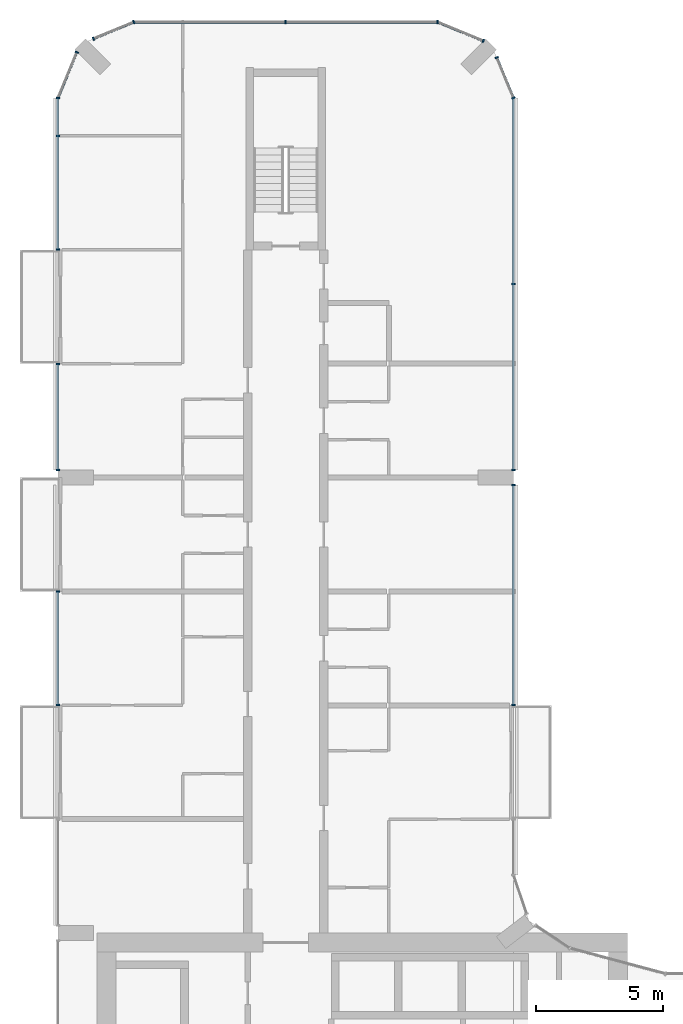
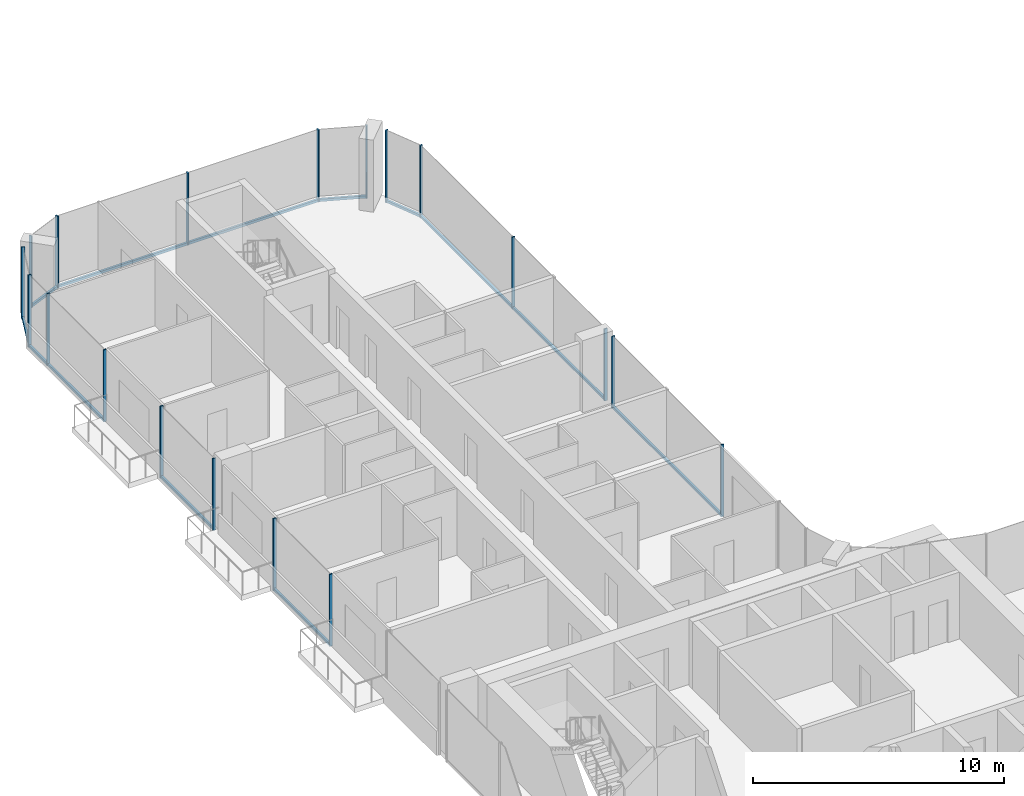
# One storey, part 6 of 22: 29 members, 10 elements without a shape of their own.
"""IFC4 building model written with IfcOpenShell, lengths in metres."""

from ifc_helpers import new_model, si_unit, direction, frame, origin, origin_2d, place, context, subcontext, project, spatial, rectangle, extrude, material, layer, layer_set, material_profile, profile_set, type_object, element, aggregate, save


model = new_model("IFC4")

# Units and contexts
model_context = context("Model", 3, precision=1e-05, world=origin(), true_north=direction((0.0, 1.0)))
body_context = subcontext(model_context, "Body", "Model", "MODEL_VIEW")
ifc_project = project(units=[si_unit("LENGTHUNIT", "METRE"), si_unit("AREAUNIT", "SQUARE_METRE"), si_unit("VOLUMEUNIT", "CUBIC_METRE"), si_unit("PLANEANGLEUNIT", "RADIAN"), si_unit("MASSUNIT", "GRAM", prefix="KILO")], contexts=[model_context])

# Site, building, storey
site_placement = place(None, origin())
site = spatial("IfcSite", under=ifc_project, at=site_placement, CompositionType="ELEMENT")
building_placement = place(site_placement, origin())
building = spatial("IfcBuilding", under=site, at=building_placement, Name="Plateau Cross Towers", CompositionType="ELEMENT")
storey_placement = place(building_placement, frame((0.0, 0.0, 54.800048828125)))
storey = spatial("IfcBuildingStorey", under=building, at=storey_placement, Name="L13", CompositionType="ELEMENT", Elevation=54.800048828125)

# Curtain wall, members
ifc_material_1 = material(Name="Dark low-iron glass", Category="glass")
ifc_layer = layer(ifc_material_1, 0.239990234375)
ifc_layer_set = layer_set([ifc_layer], Name="Dark low-iron glass")
curtain_wall_type = type_object("IfcCurtainWallType", Name="Curtain wall flush unitised CW-B", PredefinedType="NOTDEFINED", material=ifc_layer_set)
curtain_wall_1_placement = place(storey_placement, origin())
curtain_wall_1 = element("IfcCurtainWall", 1, at=curtain_wall_1_placement, inside=storey, type_object=curtain_wall_type, Name="ENV/A/L13/A180_270", PredefinedType="NOTDEFINED")
ifc_material_2 = material(Name="Black anodised aluminium", Category="aluminium")
ifc_material_profile_1 = material_profile(ifc_material_2, rectangle(XDim=0.06005859375, YDim=0.139892578125, at=origin_2d()), Name="MULLION 60x140")
ifc_profile_set_1 = profile_set([ifc_material_profile_1], Name="Black anodised aluminium")
member_type_1 = type_object("IfcMemberType", Name="Mullion 60x140 flush unitised", PredefinedType="MULLION", material=ifc_profile_set_1)
member_1_placement = place(storey_placement, frame((18.0, 27.010009765625, -0.25), z_axis=(0.0, 0.0, 1.0), x_axis=(0.0, 1.0, 0.0)))
member_1 = element("IfcMember", 2, at=member_1_placement, type_object=member_type_1, Name="CW-B mullion 1", PredefinedType="MULLION", context=body_context, shape_type="SweptSolid", body=[
    extrude(rectangle(XDim=0.06005859375, YDim=0.139892578125, at=origin_2d()), origin(), (0.0, 0.0, 1.0), 3.5),
])
member_2_placement = place(storey_placement, frame((18.0, 35.699951171875, -0.25), z_axis=(0.0, 0.0, 1.0), x_axis=(0.0, 1.0, 0.0)))
member_2 = element("IfcMember", 3, at=member_2_placement, type_object=member_type_1, Name="CW-B mullion 2", PredefinedType="MULLION", context=body_context, shape_type="SweptSolid", body=[
    extrude(rectangle(XDim=0.06005859375, YDim=0.139892578125, at=origin_2d()), origin(), (0.0, 0.0, 1.0), 3.5),
])

curtain_wall_2_placement = place(storey_placement, origin())
curtain_wall_2 = element("IfcCurtainWall", 4, at=curtain_wall_2_placement, inside=storey, type_object=curtain_wall_type, Name="ENV/A/L13/A180_363", PredefinedType="NOTDEFINED")
member_3_placement = place(storey_placement, frame((18.0, 36.300048828125, -0.25), z_axis=(0.0, 0.0, 1.0), x_axis=(0.0, 1.0, 0.0)))
member_3 = element("IfcMember", 5, at=member_3_placement, type_object=member_type_1, Name="CW-B mullion 1", PredefinedType="MULLION", context=body_context, shape_type="SweptSolid", body=[
    extrude(rectangle(XDim=0.06005859375, YDim=0.139892578125, at=origin_2d()), origin(), (0.0, 0.0, 1.0), 3.5),
])
member_4_placement = place(storey_placement, frame((18.0, 43.64990234375, -0.25), z_axis=(0.0, 0.0, 1.0), x_axis=(0.0, 1.0, 0.0)))
member_4 = element("IfcMember", 6, at=member_4_placement, type_object=member_type_1, Name="CW-B mullion 2", PredefinedType="MULLION", context=body_context, shape_type="SweptSolid", body=[
    extrude(rectangle(XDim=0.06005859375, YDim=0.139892578125, at=origin_2d()), origin(), (0.0, 0.0, 1.0), 3.5),
])

curtain_wall_3_placement = place(storey_placement, origin())
curtain_wall_3 = element("IfcCurtainWall", 7, at=curtain_wall_3_placement, inside=storey, type_object=curtain_wall_type, Name="ENV/A/L13/A180_510", PredefinedType="NOTDEFINED")
member_5_placement = place(storey_placement, frame((18.0, 51.0, -0.25), z_axis=(0.0, 0.0, 1.0), x_axis=(-0.382683612978, 0.923879457699, 0.0)))
member_5 = element("IfcMember", 8, at=member_5_placement, type_object=member_type_1, Name="CW-B mullion 1", PredefinedType="MULLION", context=body_context, shape_type="SweptSolid", body=[
    extrude(rectangle(XDim=0.06005859375, YDim=0.139892578125, at=origin_2d()), origin(), (0.0, 0.0, 1.0), 3.5),
])
member_6_placement = place(storey_placement, frame((17.338623046875, 52.5966796875, -0.25), z_axis=(0.0, 0.0, 1.0), x_axis=(-0.382683612978, 0.923879457699, 0.0)))
member_6 = element("IfcMember", 9, at=member_6_placement, type_object=member_type_1, Name="CW-B mullion 2", PredefinedType="MULLION", context=body_context, shape_type="SweptSolid", body=[
    extrude(rectangle(XDim=0.06005859375, YDim=0.139892578125, at=origin_2d()), origin(), (0.0, 0.0, 1.0), 3.5),
])

# Curtain wall, member
curtain_wall_4_placement = place(storey_placement, origin())
curtain_wall_4 = element("IfcCurtainWall", 10, at=curtain_wall_4_placement, inside=storey, type_object=curtain_wall_type, Name="ENV/A/L13/A168_533", PredefinedType="NOTDEFINED")
member_7_placement = place(storey_placement, frame((16.805908203125, 53.251953125, -0.25), z_axis=(0.0, 0.0, 1.0), x_axis=(-0.923879457699, 0.382683612978, 0.0)))
member_7 = element("IfcMember", 11, at=member_7_placement, type_object=member_type_1, Name="CW-B mullion 1", PredefinedType="MULLION", context=body_context, shape_type="SweptSolid", body=[
    extrude(rectangle(XDim=0.06005859375, YDim=0.139892578125, at=origin_2d()), origin(), (0.0, 0.0, 1.0), 3.5),
])

# Curtain wall, members
curtain_wall_5_placement = place(storey_placement, origin())
curtain_wall_5 = element("IfcCurtainWall", 12, at=curtain_wall_5_placement, inside=storey, type_object=curtain_wall_type, Name="ENV/A/L13/A150_540", PredefinedType="NOTDEFINED")
member_8_placement = place(storey_placement, frame((15.0, 54.0, -0.25), z_axis=(0.0, 0.0, 1.0), x_axis=(-1.0, 0.0, 0.0)))
member_8 = element("IfcMember", 13, at=member_8_placement, type_object=member_type_1, Name="CW-B mullion 1", PredefinedType="MULLION", context=body_context, shape_type="SweptSolid", body=[
    extrude(rectangle(XDim=0.06005859375, YDim=0.139892578125, at=origin_2d()), origin(), (0.0, 0.0, 1.0), 3.5),
])
member_9_placement = place(storey_placement, frame((9.0, 54.0, -0.25), z_axis=(0.0, 0.0, 1.0), x_axis=(-1.0, 0.0, 0.0)))
member_9 = element("IfcMember", 14, at=member_9_placement, type_object=member_type_1, Name="CW-B mullion 2", PredefinedType="MULLION", context=body_context, shape_type="SweptSolid", body=[
    extrude(rectangle(XDim=0.06005859375, YDim=0.139892578125, at=origin_2d()), origin(), (0.0, 0.0, 1.0), 3.5),
])

curtain_wall_6_placement = place(storey_placement, origin())
curtain_wall_6 = element("IfcCurtainWall", 15, at=curtain_wall_6_placement, inside=storey, type_object=curtain_wall_type, Name="ENV/A/L13/A30_540", PredefinedType="NOTDEFINED")
member_10_placement = place(storey_placement, frame((3.0, 54.0, -0.25), z_axis=(0.0, 0.0, 1.0), x_axis=(-0.923879457699, -0.382683612978, 0.0)))
member_10 = element("IfcMember", 16, at=member_10_placement, type_object=member_type_1, Name="CW-B mullion 1", PredefinedType="MULLION", context=body_context, shape_type="SweptSolid", body=[
    extrude(rectangle(XDim=0.06005859375, YDim=0.139892578125, at=origin_2d()), origin(), (0.0, 0.0, 1.0), 3.5),
])
member_11_placement = place(storey_placement, frame((1.4033203125, 53.338623046875, -0.25), z_axis=(0.0, 0.0, 1.0), x_axis=(-0.923879457699, -0.382683612978, 0.0)))
member_11 = element("IfcMember", 17, at=member_11_placement, type_object=member_type_1, Name="CW-B mullion 2", PredefinedType="MULLION", context=body_context, shape_type="SweptSolid", body=[
    extrude(rectangle(XDim=0.06005859375, YDim=0.139892578125, at=origin_2d()), origin(), (0.0, 0.0, 1.0), 3.5),
])

# Curtain wall, member
curtain_wall_7_placement = place(storey_placement, origin())
curtain_wall_7 = element("IfcCurtainWall", 18, at=curtain_wall_7_placement, inside=storey, type_object=curtain_wall_type, Name="ENV/A/L13/A7_528", PredefinedType="NOTDEFINED")
member_12_placement = place(storey_placement, frame((0.748046875, 52.805908203125, -0.25), z_axis=(0.0, 0.0, 1.0), x_axis=(-0.382683612978, -0.923879457699, 0.0)))
member_12 = element("IfcMember", 19, at=member_12_placement, type_object=member_type_1, Name="CW-B mullion 1", PredefinedType="MULLION", context=body_context, shape_type="SweptSolid", body=[
    extrude(rectangle(XDim=0.06005859375, YDim=0.139892578125, at=origin_2d()), origin(), (0.0, 0.0, 1.0), 3.5),
])

# Curtain wall, members
curtain_wall_8_placement = place(storey_placement, origin())
curtain_wall_8 = element("IfcCurtainWall", 20, at=curtain_wall_8_placement, inside=storey, type_object=curtain_wall_type, Name="ENV/A/L13/A0_510", PredefinedType="NOTDEFINED")
member_13_placement = place(storey_placement, frame((0.0, 51.0, -0.25), z_axis=(0.0, 0.0, 1.0), x_axis=(0.0, -1.0, 0.0)))
member_13 = element("IfcMember", 21, at=member_13_placement, type_object=member_type_1, Name="CW-B mullion 1", PredefinedType="MULLION", context=body_context, shape_type="SweptSolid", body=[
    extrude(rectangle(XDim=0.06005859375, YDim=0.139892578125, at=origin_2d()), origin(), (0.0, 0.0, 1.0), 3.5),
])
member_14_placement = place(storey_placement, frame((0.0, 49.5, -0.25), z_axis=(0.0, 0.0, 1.0), x_axis=(0.0, -1.0, 0.0)))
member_14 = element("IfcMember", 22, at=member_14_placement, type_object=member_type_1, Name="CW-B mullion 2", PredefinedType="MULLION", context=body_context, shape_type="SweptSolid", body=[
    extrude(rectangle(XDim=0.06005859375, YDim=0.139892578125, at=origin_2d()), origin(), (0.0, 0.0, 1.0), 3.5),
])
member_15_placement = place(storey_placement, frame((0.0, 45.010009765625, -0.25), z_axis=(0.0, 0.0, 1.0), x_axis=(0.0, -1.0, 0.0)))
member_15 = element("IfcMember", 23, at=member_15_placement, type_object=member_type_1, Name="CW-B mullion 3", PredefinedType="MULLION", context=body_context, shape_type="SweptSolid", body=[
    extrude(rectangle(XDim=0.06005859375, YDim=0.139892578125, at=origin_2d()), origin(), (0.0, 0.0, 1.0), 3.5),
])

curtain_wall_9_placement = place(storey_placement, origin())
curtain_wall_9 = element("IfcCurtainWall", 24, at=curtain_wall_9_placement, inside=storey, type_object=curtain_wall_type, Name="ENV/A/L13/A0_405", PredefinedType="NOTDEFINED")
member_16_placement = place(storey_placement, frame((0.0, 40.489990234375, -0.25), z_axis=(0.0, 0.0, 1.0), x_axis=(0.0, -1.0, 0.0)))
member_16 = element("IfcMember", 25, at=member_16_placement, type_object=member_type_1, Name="CW-B mullion 1", PredefinedType="MULLION", context=body_context, shape_type="SweptSolid", body=[
    extrude(rectangle(XDim=0.06005859375, YDim=0.139892578125, at=origin_2d()), origin(), (0.0, 0.0, 1.0), 3.5),
])
member_17_placement = place(storey_placement, frame((0.0, 36.300048828125, -0.25), z_axis=(0.0, 0.0, 1.0), x_axis=(0.0, -1.0, 0.0)))
member_17 = element("IfcMember", 26, at=member_17_placement, type_object=member_type_1, Name="CW-B mullion 2", PredefinedType="MULLION", context=body_context, shape_type="SweptSolid", body=[
    extrude(rectangle(XDim=0.06005859375, YDim=0.139892578125, at=origin_2d()), origin(), (0.0, 0.0, 1.0), 3.5),
])

curtain_wall_10_placement = place(storey_placement, origin())
curtain_wall_10 = element("IfcCurtainWall", 27, at=curtain_wall_10_placement, inside=storey, type_object=curtain_wall_type, Name="ENV/A/L13/A0_315", PredefinedType="NOTDEFINED")
member_18_placement = place(storey_placement, frame((0.0, 31.489990234375, -0.25), z_axis=(0.0, 0.0, 1.0), x_axis=(0.0, -1.0, 0.0)))
member_18 = element("IfcMember", 28, at=member_18_placement, type_object=member_type_1, Name="CW-B mullion 1", PredefinedType="MULLION", context=body_context, shape_type="SweptSolid", body=[
    extrude(rectangle(XDim=0.06005859375, YDim=0.139892578125, at=origin_2d()), origin(), (0.0, 0.0, 1.0), 3.5),
])
member_19_placement = place(storey_placement, frame((0.0, 27.010009765625, -0.25), z_axis=(0.0, 0.0, 1.0), x_axis=(0.0, -1.0, 0.0)))
member_19 = element("IfcMember", 29, at=member_19_placement, type_object=member_type_1, Name="CW-B mullion 2", PredefinedType="MULLION", context=body_context, shape_type="SweptSolid", body=[
    extrude(rectangle(XDim=0.06005859375, YDim=0.139892578125, at=origin_2d()), origin(), (0.0, 0.0, 1.0), 3.5),
])

# Member
ifc_material_profile_2 = material_profile(ifc_material_2, rectangle(XDim=0.10009765625, YDim=0.1201171875, at=origin_2d()), Name="TRANSOM 100x120")
ifc_profile_set_2 = profile_set([ifc_material_profile_2], Name="Black anodised aluminium")
member_type_2 = type_object("IfcMemberType", Name="Transom 100x120 flush unitised", PredefinedType="USERDEFINED", material=ifc_profile_set_2)
member_20_placement = place(storey_placement, frame((18.0, 27.010009765625, -0.18994140625), z_axis=(0.0, 1.0, 0.0), x_axis=(-1.0, 0.0, 0.0)))
member_20 = element("IfcMember", 30, at=member_20_placement, type_object=member_type_2, Name="CW-B transom", ObjectType="TRANSOM", PredefinedType="USERDEFINED", context=body_context, shape_type="SweptSolid", body=[
    extrude(rectangle(XDim=0.10009765625, YDim=0.1201171875, at=origin_2d()), origin(), (0.0, 0.0, 1.0), 8.68994140625),
])

aggregate(curtain_wall_1, [member_1, member_2, member_20])

member_21_placement = place(storey_placement, frame((18.0, 36.300048828125, -0.18994140625), z_axis=(0.0, 1.0, 0.0), x_axis=(-1.0, 0.0, 0.0)))
member_21 = element("IfcMember", 31, at=member_21_placement, type_object=member_type_2, Name="CW-B transom", ObjectType="TRANSOM", PredefinedType="USERDEFINED", context=body_context, shape_type="SweptSolid", body=[
    extrude(rectangle(XDim=0.10009765625, YDim=0.1201171875, at=origin_2d()), origin(), (0.0, 0.0, 1.0), 14.699951171875),
])

aggregate(curtain_wall_2, [member_3, member_4, member_21])

member_22_placement = place(storey_placement, frame((18.0, 51.0, -0.18994140625), z_axis=(-0.382688653628, 0.923877369776, 0.0), x_axis=(-0.923877369776, -0.382688653628, 0.0)))
member_22 = element("IfcMember", 32, at=member_22_placement, type_object=member_type_2, Name="CW-B transom", ObjectType="TRANSOM", PredefinedType="USERDEFINED", context=body_context, shape_type="SweptSolid", body=[
    extrude(rectangle(XDim=0.10009765625, YDim=0.1201171875, at=origin_2d()), origin(), (0.0, 0.0, 1.0), 1.728271484375),
])

aggregate(curtain_wall_3, [member_5, member_6, member_22])

member_23_placement = place(storey_placement, frame((16.805908203125, 53.251953125, -0.18994140625), z_axis=(-0.92387678234, 0.382690071798, 0.0), x_axis=(-0.382690071798, -0.92387678234, 0.0)))
member_23 = element("IfcMember", 33, at=member_23_placement, type_object=member_type_2, Name="CW-B transom", ObjectType="TRANSOM", PredefinedType="USERDEFINED", context=body_context, shape_type="SweptSolid", body=[
    extrude(rectangle(XDim=0.10009765625, YDim=0.1201171875, at=origin_2d()), origin(), (0.0, 0.0, 1.0), 1.95458984375),
])

aggregate(curtain_wall_4, [member_7, member_23])

member_24_placement = place(storey_placement, frame((15.0, 54.0, -0.18994140625), z_axis=(-1.0, 0.0, 0.0), x_axis=(0.0, -1.0, 0.0)))
member_24 = element("IfcMember", 34, at=member_24_placement, type_object=member_type_2, Name="CW-B transom", ObjectType="TRANSOM", PredefinedType="USERDEFINED", context=body_context, shape_type="SweptSolid", body=[
    extrude(rectangle(XDim=0.10009765625, YDim=0.1201171875, at=origin_2d()), origin(), (0.0, 0.0, 1.0), 12.0),
])

aggregate(curtain_wall_5, [member_8, member_9, member_24])

member_25_placement = place(storey_placement, frame((3.0, 54.0, -0.18994140625), z_axis=(-0.923877369776, -0.382688653628, 0.0), x_axis=(0.382688653628, -0.923877369776, 0.0)))
member_25 = element("IfcMember", 35, at=member_25_placement, type_object=member_type_2, Name="CW-B transom", ObjectType="TRANSOM", PredefinedType="USERDEFINED", context=body_context, shape_type="SweptSolid", body=[
    extrude(rectangle(XDim=0.10009765625, YDim=0.1201171875, at=origin_2d()), origin(), (0.0, 0.0, 1.0), 1.728271484375),
])

aggregate(curtain_wall_6, [member_10, member_11, member_25])

member_26_placement = place(storey_placement, frame((0.748046875, 52.805908203125, -0.18994140625), z_axis=(-0.382690071798, -0.92387678234, 0.0), x_axis=(0.92387678234, -0.382690071798, 0.0)))
member_26 = element("IfcMember", 36, at=member_26_placement, type_object=member_type_2, Name="CW-B transom", ObjectType="TRANSOM", PredefinedType="USERDEFINED", context=body_context, shape_type="SweptSolid", body=[
    extrude(rectangle(XDim=0.10009765625, YDim=0.1201171875, at=origin_2d()), origin(), (0.0, 0.0, 1.0), 1.95458984375),
])

aggregate(curtain_wall_7, [member_12, member_26])

member_27_placement = place(storey_placement, frame((0.0, 51.0, -0.18994140625), z_axis=(0.0, -1.0, 0.0), x_axis=(1.0, 0.0, 0.0)))
member_27 = element("IfcMember", 37, at=member_27_placement, type_object=member_type_2, Name="CW-B transom", ObjectType="TRANSOM", PredefinedType="USERDEFINED", context=body_context, shape_type="SweptSolid", body=[
    extrude(rectangle(XDim=0.10009765625, YDim=0.1201171875, at=origin_2d()), origin(), (0.0, 0.0, 1.0), 5.989990234375),
])

aggregate(curtain_wall_8, [member_13, member_14, member_15, member_27])

member_28_placement = place(storey_placement, frame((0.0, 40.489990234375, -0.18994140625), z_axis=(0.0, -1.0, 0.0), x_axis=(1.0, 0.0, 0.0)))
member_28 = element("IfcMember", 38, at=member_28_placement, type_object=member_type_2, Name="CW-B transom", ObjectType="TRANSOM", PredefinedType="USERDEFINED", context=body_context, shape_type="SweptSolid", body=[
    extrude(rectangle(XDim=0.10009765625, YDim=0.1201171875, at=origin_2d()), origin(), (0.0, 0.0, 1.0), 4.18994140625),
])

aggregate(curtain_wall_9, [member_16, member_17, member_28])

member_29_placement = place(storey_placement, frame((0.0, 31.489990234375, -0.18994140625), z_axis=(0.0, -1.0, 0.0), x_axis=(1.0, 0.0, 0.0)))
member_29 = element("IfcMember", 39, at=member_29_placement, type_object=member_type_2, Name="CW-B transom", ObjectType="TRANSOM", PredefinedType="USERDEFINED", context=body_context, shape_type="SweptSolid", body=[
    extrude(rectangle(XDim=0.10009765625, YDim=0.1201171875, at=origin_2d()), origin(), (0.0, 0.0, 1.0), 4.47998046875),
])

aggregate(curtain_wall_10, [member_18, member_19, member_29])

save(model, "model.ifc")
